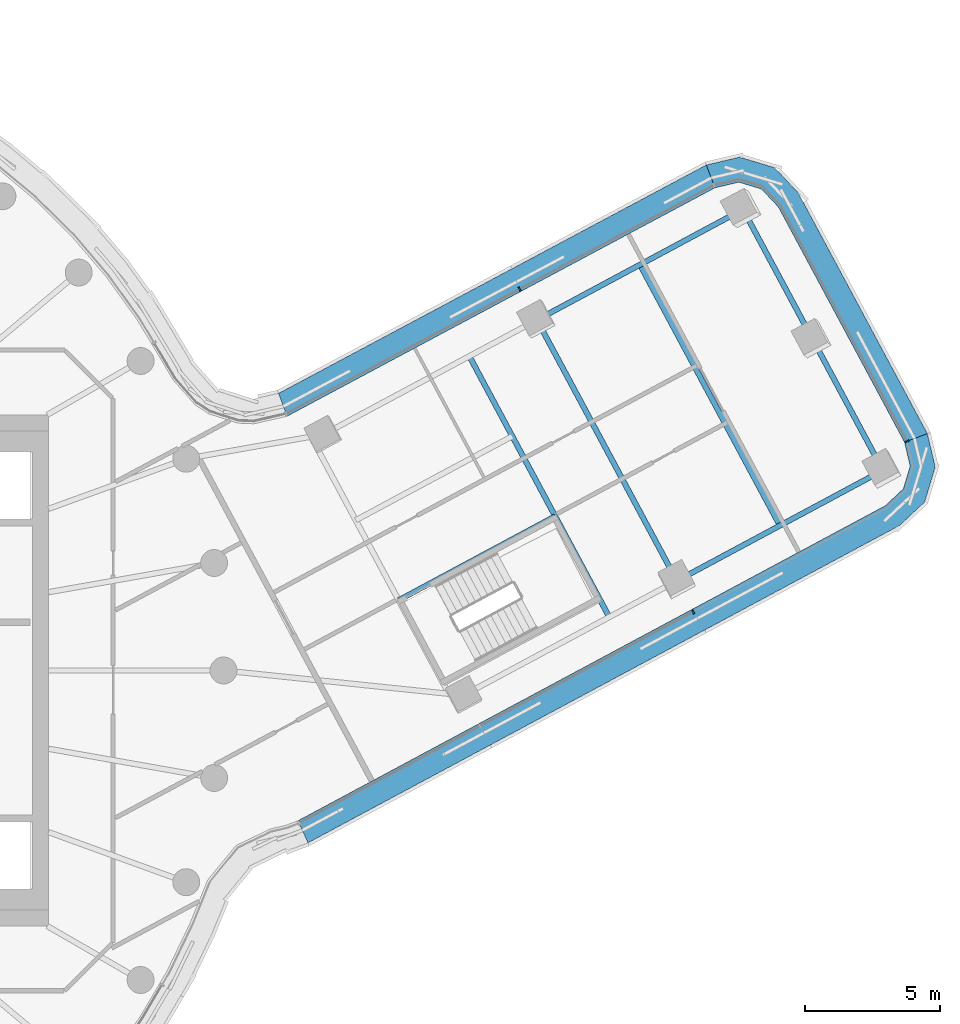
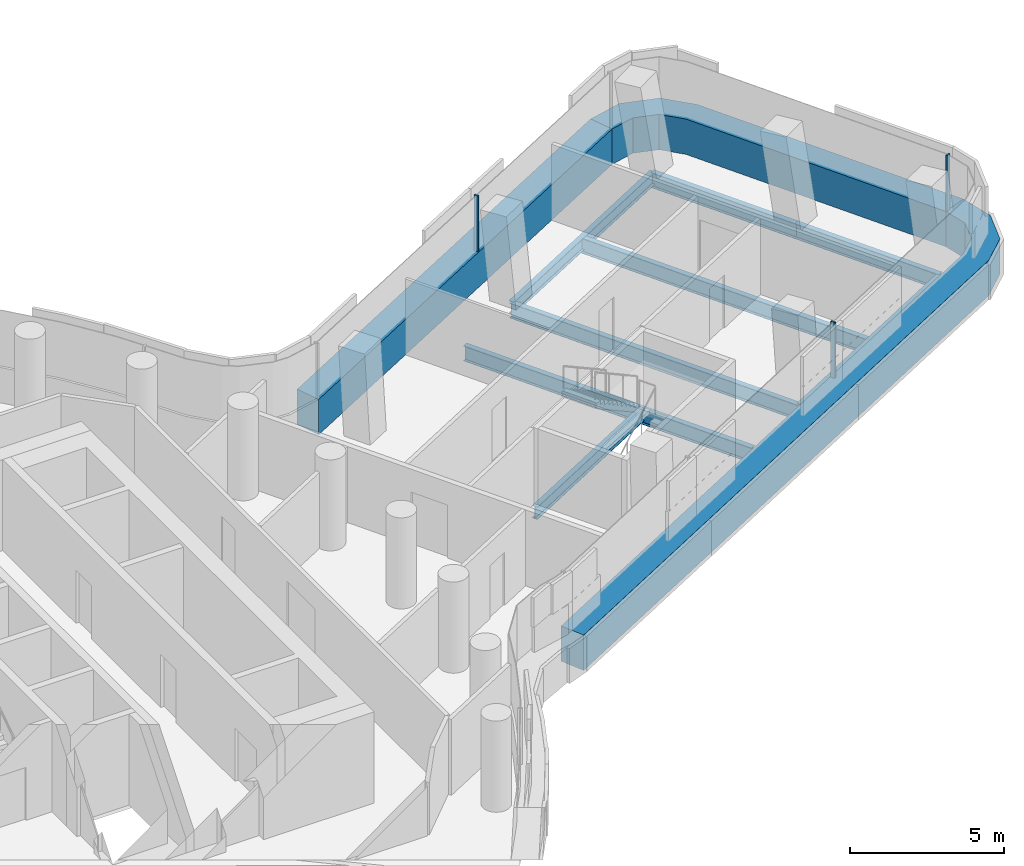
# One storey, part 12 of 33: 8 beams, 6 members, 3 elements without a shape of their own.
"""IFC4 building model written with IfcOpenShell, lengths in metres."""

import ifcopenshell
import ifcopenshell.guid

model = None  # the IFC model being written
_history = None  # IfcOwnerHistory: only IFC2X3 demands one
_inside = {}  # id of a spatial element -> (the spatial element, [elements in it])
_under = {}  # id of a project, library or spatial element -> (it, [spatial elements below it])
_declared = {}  # id of a project -> (the project, [libraries it declares])
_typed = {}  # id of a type object -> (the type object, [elements of that type])
_made_of = {}  # id of a material, layer set ... -> (it, [elements and type objects made of it])


def new_model(schema):
    """Start an empty IFC model of exactly this schema.

    Asked for "IFC4X3", IfcOpenShell would pick the latest addendum, in which some entities
    have other attributes; the version numbers below select the first issue.
    IFC2X3 requires an IfcOwnerHistory on every rooted entity: one is made here for all.
    """
    global model, _history
    if schema == "IFC4X3":
        model = ifcopenshell.file(schema_version=(4, 3, 0, 0))
    else:
        model = ifcopenshell.file(schema=schema)
    _inside.clear()
    _under.clear()
    _declared.clear()
    _typed.clear()
    _made_of.clear()
    _history = None
    if model.schema == "IFC2X3":
        org = make("IfcOrganization", Name="unknown")
        user = make(
            "IfcPersonAndOrganization",
            ThePerson=make("IfcPerson", FamilyName="unknown"),
            TheOrganization=org,
        )
        app = make(
            "IfcApplication",
            ApplicationDeveloper=org,
            Version="unknown",
            ApplicationFullName="unknown",
            ApplicationIdentifier="unknown",
        )
        _history = make(
            "IfcOwnerHistory",
            OwningUser=user,
            OwningApplication=app,
            ChangeAction="ADDED",
            CreationDate=0,
        )
    return model


def make(cls, **values):
    """One entity of the class cls with the attributes given. An attribute that is None is left unset."""
    return model.create_entity(
        cls, **{name: value for name, value in values.items() if value is not None}
    )


def rooted(cls, **values):
    """An entity with a GlobalId (a new one), such as an element, a storey or a relation."""
    return make(cls, GlobalId=ifcopenshell.guid.new(), OwnerHistory=_history, **values)


def si_unit(unit_type, name, prefix=None):
    """IfcSIUnit, for example si_unit("LENGTHUNIT", "METRE", prefix="MILLI")."""
    return make("IfcSIUnit", UnitType=unit_type, Prefix=prefix, Name=name)


def assignment(units):
    """IfcUnitAssignment: the units of a project."""
    return None if units is None else make("IfcUnitAssignment", Units=units)


def point(xyz):
    """IfcCartesianPoint."""
    return None if xyz is None else make("IfcCartesianPoint", Coordinates=xyz)


def direction(xyz):
    """IfcDirection."""
    return None if xyz is None else make("IfcDirection", DirectionRatios=xyz)


def frame(location, z_axis=None, x_axis=None):
    """IfcAxis2Placement3D, a coordinate frame: its origin and axes. An axis left out is left unset."""
    return make(
        "IfcAxis2Placement3D",
        Location=point(location),
        Axis=direction(z_axis),
        RefDirection=direction(x_axis),
    )


def frame_2d(location, x_axis=None):
    """IfcAxis2Placement2D, a coordinate frame in the plane: its origin and x axis."""
    return make(
        "IfcAxis2Placement2D", Location=point(location), RefDirection=direction(x_axis)
    )


def origin():
    """The frame at (0, 0, 0) with its axes left unset."""
    return frame((0.0, 0.0, 0.0))


def origin_2d():
    """The frame at (0, 0) in the plane with its x axis left unset."""
    return frame_2d((0.0, 0.0))


def place(relative_to, where):
    """IfcLocalPlacement: puts the frame where relative to a parent placement (None: the world)."""
    return make(
        "IfcLocalPlacement", PlacementRelTo=relative_to, RelativePlacement=where
    )


def context(
    kind, dimensions, precision=None, world=None, true_north=None, identifier=None
):
    """IfcGeometricRepresentationContext, for example the 3D "Model" context."""
    return make(
        "IfcGeometricRepresentationContext",
        ContextIdentifier=identifier,
        ContextType=kind,
        CoordinateSpaceDimension=dimensions,
        Precision=precision,
        WorldCoordinateSystem=world,
        TrueNorth=true_north,
    )


def subcontext(parent, identifier, kind, view, scale=None):
    """IfcGeometricRepresentationSubContext, for example "Body" below "Model"."""
    return make(
        "IfcGeometricRepresentationSubContext",
        ContextIdentifier=identifier,
        ContextType=kind,
        ParentContext=parent,
        TargetScale=scale,
        TargetView=view,
    )


def project(units=None, contexts=None):
    """IfcProject with its units and contexts."""
    return rooted(
        "IfcProject",
        Name="project",
        RepresentationContexts=contexts,
        UnitsInContext=assignment(units),
    )


def spatial(cls, under=None, at=None, **own):
    """A site, building, storey or space (cls), placed at a placement, below another one or the project."""
    s = rooted(cls, ObjectPlacement=at, **own)
    if under is not None:
        _under.setdefault(under.id(), (under, []))[1].append(s)
    return s


def polyline(points):
    """IfcPolyline through the points."""
    return make("IfcPolyline", Points=[point(p) for p in points])


def profile(cls, at=None, kind="AREA", **sizes):
    """A parametric profile (cls). Its sizes go by their IFC names, for example OverallWidth=200.0."""
    return make(cls, ProfileType=kind, Position=at, **sizes)


def rectangle(**sizes):
    """IfcRectangleProfileDef."""
    return profile("IfcRectangleProfileDef", **sizes)


def i_section(**sizes):
    """IfcIShapeProfileDef."""
    return profile("IfcIShapeProfileDef", **sizes)


def outline(outer, holes=None, kind="AREA"):
    """IfcArbitraryClosedProfileDef: a profile drawn as a closed curve; with holes, ...WithVoids."""
    if holes is None:
        return make("IfcArbitraryClosedProfileDef", ProfileType=kind, OuterCurve=outer)
    return make(
        "IfcArbitraryProfileDefWithVoids",
        ProfileType=kind,
        OuterCurve=outer,
        InnerCurves=holes,
    )


def extrude(swept, where, along, depth):
    """IfcExtrudedAreaSolid: the profile swept, set in the frame where, extruded along a direction by depth."""
    return make(
        "IfcExtrudedAreaSolid",
        SweptArea=swept,
        Position=where,
        ExtrudedDirection=direction(along),
        Depth=depth,
    )


def shape(context_of_items, identifier, shape_type, items):
    """IfcShapeRepresentation: the items that make up one representation, for example the "Body"."""
    return make(
        "IfcShapeRepresentation",
        ContextOfItems=context_of_items,
        RepresentationIdentifier=identifier,
        RepresentationType=shape_type,
        Items=items,
    )


def material(Name=None, Category=None):
    """IfcMaterial."""
    return make("IfcMaterial", Name=Name, Category=Category)


def layer(
    of_material, thickness, ventilated=None, Name=None, Category=None, Priority=None
):
    """IfcMaterialLayer: one layer of a wall or slab, of a material (None: an air gap)."""
    return make(
        "IfcMaterialLayer",
        Material=of_material,
        LayerThickness=thickness,
        IsVentilated=ventilated,
        Name=Name,
        Category=Category,
        Priority=Priority,
    )


def layer_set(layers, Name=None):
    """IfcMaterialLayerSet."""
    return make("IfcMaterialLayerSet", MaterialLayers=layers, LayerSetName=Name)


def material_profile(
    of_material, cross_section, Name=None, Category=None, Priority=None
):
    """IfcMaterialProfile: a cross section and its material."""
    return make(
        "IfcMaterialProfile",
        Name=Name,
        Material=of_material,
        Profile=cross_section,
        Priority=Priority,
        Category=Category,
    )


def profile_set(profiles, Name=None, composite=None):
    """IfcMaterialProfileSet."""
    return make(
        "IfcMaterialProfileSet",
        Name=Name,
        MaterialProfiles=profiles,
        CompositeProfile=composite,
    )


def made_of(thing, what):
    """Note that an element or type object is made of a material, layer set ...; save() writes the relation."""
    if what is not None:
        _made_of.setdefault(what.id(), (what, []))[1].append(thing)
    return thing


def type_object(cls, material=None, **own):
    """A type object (cls), such as IfcWallType, which elements share."""
    return made_of(rooted(cls, **own), material)


def element(
    cls,
    number,
    at=None,
    inside=None,
    cuts=None,
    type_object=None,
    material=None,
    context=None,
    identifier="Body",
    shape_type=None,
    held_by="IfcProductDefinitionShape",
    body=None,
    shapes=None,
    **own,
):
    """One element of the class cls, such as IfcWall. Its Tag is "e" and its number.

    at: its placement. inside: the storey or other place that contains it. cuts: it is an
    opening in that element (IfcRelVoidsElement). A single representation is given by context,
    identifier, shape_type and body (its items); several are given by shapes. held_by: the class
    of the entity that holds the representations. save() writes the other relations.
    """
    e = rooted(cls, Tag="e%d" % number, ObjectPlacement=at, **own)
    if body is not None:
        shapes = [shape(context, identifier, shape_type, body)]
    if shapes is not None:
        e.Representation = make(held_by, Representations=shapes)
    if inside is not None:
        _inside.setdefault(inside.id(), (inside, []))[1].append(e)
    if cuts is not None:
        rooted(
            "IfcRelVoidsElement", RelatingBuildingElement=cuts, RelatedOpeningElement=e
        )
    if type_object is not None:
        _typed.setdefault(type_object.id(), (type_object, []))[1].append(e)
    return made_of(e, material)


def aggregate(whole, parts):
    """IfcRelAggregates: a whole, such as a stair, and the parts it consists of."""
    return rooted("IfcRelAggregates", RelatingObject=whole, RelatedObjects=parts)


def save(model, path):
    """Write the relations noted so far, then the file.

    IfcRelAggregates (storeys below a building ...), IfcRelContainedInSpatialStructure (elements
    in a storey), IfcRelDefinesByType, IfcRelAssociatesMaterial and IfcRelDeclares: one each for
    every whole, place, type object, material and project.
    """
    for whole, parts in _under.values():
        aggregate(whole, parts)
    for where, things in _inside.values():
        rooted(
            "IfcRelContainedInSpatialStructure",
            RelatedElements=things,
            RelatingStructure=where,
        )
    for kind, things in _typed.values():
        rooted("IfcRelDefinesByType", RelatedObjects=things, RelatingType=kind)
    for what, things in _made_of.values():
        rooted("IfcRelAssociatesMaterial", RelatedObjects=things, RelatingMaterial=what)
    for by, libraries in _declared.values():
        rooted("IfcRelDeclares", RelatingContext=by, RelatedDefinitions=libraries)
    model.write(path)


model = new_model("IFC4")

# Units and contexts
model_context = context("Model", 3, precision=1e-05, world=origin(), true_north=direction((0.0, 1.0)))
body_context = subcontext(model_context, "Body", "Model", "MODEL_VIEW")
ifc_project = project(units=[si_unit("LENGTHUNIT", "METRE"), si_unit("AREAUNIT", "SQUARE_METRE"), si_unit("VOLUMEUNIT", "CUBIC_METRE"), si_unit("PLANEANGLEUNIT", "RADIAN"), si_unit("MASSUNIT", "GRAM", prefix="KILO")], contexts=[model_context])

# Site, building, storey
site_placement = place(None, origin())
site = spatial("IfcSite", under=ifc_project, at=site_placement, CompositionType="ELEMENT")
building_placement = place(site_placement, origin())
building = spatial("IfcBuilding", under=site, at=building_placement, Name="Tamarind Cross Interchange Tower", CompositionType="ELEMENT")
storey_placement = place(building_placement, frame((0.0, 0.0, 136.75)))
storey = spatial("IfcBuildingStorey", under=building, at=storey_placement, Name="L33", CompositionType="ELEMENT", Elevation=136.75)

# Beams
ifc_material_1 = material(Name="Steel Q355B", Category="steel")
ifc_material_profile_1 = material_profile(ifc_material_1, i_section(OverallWidth=0.198974609375, OverallDepth=0.49609375, WebThickness=0.009033203125, FlangeThickness=0.013916015625, FilletRadius=0.012939453125, at=origin_2d()), Name="HN 496x199x9x14")
ifc_profile_set_1 = profile_set([ifc_material_profile_1], Name="Steel Q355B")
beam_type_1 = type_object("IfcBeamType", Name="Composite beam HN 496x199x9x14 Q355B", PredefinedType="BEAM", material=ifc_profile_set_1)
beam_1_placement = place(storey_placement, frame((47.501220703125, 7.437744140625, -0.387939453125), z_axis=(-0.881234214379, -0.4726798699, 0.0), x_axis=(0.4726798699, -0.881234214379, 0.0)))
element("IfcBeam", 1, at=beam_1_placement, inside=storey, type_object=beam_type_1, Name="Beam E-edgeem5", PredefinedType="BEAM", context=body_context, shape_type="SweptSolid", body=[
    extrude(i_section(OverallWidth=0.198974609375, OverallDepth=0.49609375, WebThickness=0.009033203125, FlangeThickness=0.013916015625, FilletRadius=0.012939453125, at=origin_2d()), origin(), (0.0, 0.0, 1.0), 8.68798828125),
])
beam_2_placement = place(storey_placement, frame((42.301513671875, 17.13134765625, -0.387939453125), z_axis=(-0.881222509201, -0.472701691638, 0.0), x_axis=(0.472701691638, -0.881222509201, 0.0)))
element("IfcBeam", 2, at=beam_2_placement, inside=storey, type_object=beam_type_1, Name="Beam E-edgeep2", PredefinedType="BEAM", context=body_context, shape_type="SweptSolid", body=[
    extrude(i_section(OverallWidth=0.198974609375, OverallDepth=0.49609375, WebThickness=0.009033203125, FlangeThickness=0.013916015625, FilletRadius=0.012939453125, at=origin_2d()), origin(), (0.0, 0.0, 1.0), 8.688232421875),
])
beam_3_placement = place(storey_placement, frame((29.508544921875, 2.609130859375, -0.387939453125), z_axis=(0.881214767207, 0.472716124177, 0.0), x_axis=(-0.472716124177, 0.881214767207, 0.0)))
element("IfcBeam", 3, at=beam_3_placement, inside=storey, type_object=beam_type_1, Name="Beam E-tr1", PredefinedType="BEAM", context=body_context, shape_type="SweptSolid", body=[
    extrude(i_section(OverallWidth=0.198974609375, OverallDepth=0.49609375, WebThickness=0.009033203125, FlangeThickness=0.013916015625, FilletRadius=0.012939453125, at=origin_2d()), origin(), (0.0, 0.0, 1.0), 6.599853515625),
])
ifc_material_profile_2 = material_profile(ifc_material_1, i_section(OverallWidth=0.199951171875, OverallDepth=0.60009765625, WebThickness=0.010986328125, FlangeThickness=0.01708984375, FilletRadius=0.012939453125, at=origin_2d()), Name="HN 600x200x11x17")
ifc_profile_set_2 = profile_set([ifc_material_profile_2], Name="Steel Q355B")
beam_type_2 = type_object("IfcBeamType", Name="Composite beam HN 600x200x11x17 Q355B", PredefinedType="BEAM", material=ifc_profile_set_2)
beam_4_placement = place(storey_placement, frame((47.501220703125, 7.437744140625, -0.43994140625), z_axis=(-0.472704215394, 0.881221155414, 0.0), x_axis=(-0.881221155414, -0.472704215394, 0.0)))
element("IfcBeam", 4, at=beam_4_placement, inside=storey, type_object=beam_type_2, Name="Beam E-tip0", PredefinedType="BEAM", context=body_context, shape_type="SweptSolid", body=[
    extrude(i_section(OverallWidth=0.199951171875, OverallDepth=0.60009765625, WebThickness=0.010986328125, FlangeThickness=0.01708984375, FilletRadius=0.012939453125, at=origin_2d()), origin(), (0.0, 0.0, 1.0), 5.5),
])
beam_5_placement = place(storey_placement, frame((44.9013671875, 12.284423828125, -0.43994140625), z_axis=(-0.472685725241, 0.881231073642, 0.0), x_axis=(-0.881231073642, -0.472685725241, 0.0)))
element("IfcBeam", 5, at=beam_5_placement, inside=storey, type_object=beam_type_2, Name="Beam E-tip1", PredefinedType="BEAM", context=body_context, shape_type="SweptSolid", body=[
    extrude(i_section(OverallWidth=0.199951171875, OverallDepth=0.60009765625, WebThickness=0.010986328125, FlangeThickness=0.01708984375, FilletRadius=0.012939453125, at=origin_2d()), origin(), (0.0, 0.0, 1.0), 5.500244140625),
])
beam_6_placement = place(storey_placement, frame((37.33349609375, 1.983642578125, -0.43994140625), z_axis=(-0.472694970163, 0.881226114674, 0.0), x_axis=(-0.881226114674, -0.472694970163, 0.0)))
element("IfcBeam", 6, at=beam_6_placement, inside=storey, type_object=beam_type_2, Name="Beam E-x364", PredefinedType="BEAM", context=body_context, shape_type="SweptSolid", body=[
    extrude(i_section(OverallWidth=0.199951171875, OverallDepth=0.60009765625, WebThickness=0.010986328125, FlangeThickness=0.01708984375, FilletRadius=0.012939453125, at=origin_2d()), origin(), (0.0, 0.0, 1.0), 11.000244140625),
])
beam_7_placement = place(storey_placement, frame((39.844970703125, 3.3310546875, -0.43994140625), z_axis=(-0.472704215394, 0.881221155414, 0.0), x_axis=(-0.881221155414, -0.472704215394, 0.0)))
element("IfcBeam", 7, at=beam_7_placement, inside=storey, type_object=beam_type_2, Name="Beam E-x393", PredefinedType="BEAM", context=body_context, shape_type="SweptSolid", body=[
    extrude(i_section(OverallWidth=0.199951171875, OverallDepth=0.60009765625, WebThickness=0.010986328125, FlangeThickness=0.01708984375, FilletRadius=0.012939453125, at=origin_2d()), origin(), (0.0, 0.0, 1.0), 11.0),
])
beam_8_placement = place(storey_placement, frame((43.673095703125, 5.38427734375, -0.43994140625), z_axis=(-0.472694970163, 0.881226114674, 0.0), x_axis=(-0.881226114674, -0.472694970163, 0.0)))
element("IfcBeam", 8, at=beam_8_placement, inside=storey, type_object=beam_type_2, Name="Beam E-x436", PredefinedType="BEAM", context=body_context, shape_type="SweptSolid", body=[
    extrude(i_section(OverallWidth=0.199951171875, OverallDepth=0.60009765625, WebThickness=0.010986328125, FlangeThickness=0.01708984375, FilletRadius=0.012939453125, at=origin_2d()), origin(), (0.0, 0.0, 1.0), 11.000244140625),
])

# Curtain wall, member
ifc_material_2 = material(Name="Aluminium 6063-T6", Category="aluminium")
ifc_layer = layer(ifc_material_2, 0.159912109375)
ifc_layer_set = layer_set([ifc_layer], Name="Aluminium 6063-T6")
curtain_wall_type = type_object("IfcCurtainWallType", Name="Office curtain wall, 9.0 m bays", PredefinedType="NOTDEFINED", material=ifc_layer_set)
curtain_wall_1_placement = place(storey_placement, origin())
curtain_wall_1 = element("IfcCurtainWall", 9, at=curtain_wall_1_placement, inside=storey, type_object=curtain_wall_type, Name="CWS-L33-11", PredefinedType="NOTDEFINED")
ifc_material_3 = material(Name="Aluminium and insulated spandrel panel", Category="aluminium")
member_type_1 = type_object("IfcMemberType", Name="Floor-edge blade transom", PredefinedType="USERDEFINED", material=ifc_material_3)
member_1_placement = place(storey_placement, origin())
member_1 = element("IfcMember", 10, at=member_1_placement, type_object=member_type_1, Name="CWT-L33-11", ObjectType="TRANSOM", PredefinedType="USERDEFINED", context=body_context, shape_type="SweptSolid", body=[
    extrude(outline(polyline([(25.764404296875, -5.583740234375), (47.593017578125, 6.125244140625), (48.26025390625, 6.751953125), (48.5126953125, 7.58935546875), (48.303466796875, 8.48046875), (49.152587890625, 8.801513671875), (49.444091796875, 7.56005859375), (49.052001953125, 6.26123046875), (48.122802734375, 5.38818359375), (26.137939453125, -6.40478515625), (25.764404296875, -5.583740234375)])), origin(), (0.0, 0.0, 1.0), 1.39990234375),
])

curtain_wall_2_placement = place(storey_placement, origin())
curtain_wall_2 = element("IfcCurtainWall", 11, at=curtain_wall_2_placement, inside=storey, type_object=curtain_wall_type, Name="CWS-L33-12", PredefinedType="NOTDEFINED")
member_2_placement = place(storey_placement, origin())
member_2 = element("IfcMember", 12, at=member_2_placement, type_object=member_type_1, Name="CWT-L33-12", ObjectType="TRANSOM", PredefinedType="USERDEFINED", context=body_context, shape_type="SweptSolid", body=[
    extrude(outline(polyline([(48.303466796875, 8.48046875), (43.614013671875, 17.22314453125), (42.9873046875, 17.89013671875), (42.14990234375, 18.142822265625), (41.258544921875, 17.93359375), (40.9384765625, 18.782958984375), (42.178955078125, 19.07421875), (43.47802734375, 18.68212890625), (44.35107421875, 17.7529296875), (49.152587890625, 8.801513671875), (48.303466796875, 8.48046875)])), origin(), (0.0, 0.0, 1.0), 1.39990234375),
])

curtain_wall_3_placement = place(storey_placement, origin())
curtain_wall_3 = element("IfcCurtainWall", 13, at=curtain_wall_3_placement, inside=storey, type_object=curtain_wall_type, Name="CWS-L33-13", PredefinedType="NOTDEFINED")
member_3_placement = place(storey_placement, origin())
member_3 = element("IfcMember", 14, at=member_3_placement, type_object=member_type_1, Name="CWT-L33-13", ObjectType="TRANSOM", PredefinedType="USERDEFINED", context=body_context, shape_type="SweptSolid", body=[
    extrude(outline(polyline([(41.258544921875, 17.93359375), (25.3603515625, 9.446044921875), (25.04296875, 10.296875), (40.9384765625, 18.782958984375), (41.258544921875, 17.93359375)])), origin(), (0.0, 0.0, 1.0), 1.39990234375),
])

# Member
ifc_material_profile_3 = material_profile(ifc_material_2, rectangle(XDim=0.06005859375, YDim=0.159912109375, at=origin_2d()), Name="Mullion CW1")
ifc_profile_set_3 = profile_set([ifc_material_profile_3], Name="Aluminium 6063-T6")
member_type_2 = type_object("IfcMemberType", Name="Mullion CW1", PredefinedType="MULLION", material=ifc_profile_set_3)
member_4_placement = place(storey_placement, frame((40.44775390625, 2.17919921875, 1.39990234375), z_axis=(0.0, 0.0, 1.0), x_axis=(0.881224263054, 0.472698422046, 0.0)))
member_4 = element("IfcMember", 15, at=member_4_placement, type_object=member_type_2, Name="CWM-L33-11-02", PredefinedType="MULLION", context=body_context, shape_type="SweptSolid", body=[
    extrude(rectangle(XDim=0.06005859375, YDim=0.159912109375, at=origin_2d()), origin(), (0.0, 0.0, 1.0), 2.210205078125),
])

aggregate(curtain_wall_1, [member_4, member_1])

member_5_placement = place(storey_placement, frame((48.39794921875, 8.51611328125, 1.39990234375), z_axis=(0.0, 0.0, 1.0), x_axis=(-0.353631573969, 0.935384792421, 0.0)))
member_5 = element("IfcMember", 16, at=member_5_placement, type_object=member_type_2, Name="CWM-L33-12-00", PredefinedType="MULLION", context=body_context, shape_type="SweptSolid", body=[
    extrude(rectangle(XDim=0.06005859375, YDim=0.159912109375, at=origin_2d()), origin(), (0.0, 0.0, 1.0), 2.210205078125),
])

aggregate(curtain_wall_2, [member_5, member_2])

member_6_placement = place(storey_placement, frame((33.99951171875, 14.171630859375, 1.39990234375), z_axis=(0.0, 0.0, 1.0), x_axis=(-0.88215520934, -0.47095879505, 0.0)))
member_6 = element("IfcMember", 17, at=member_6_placement, type_object=member_type_2, Name="CWM-L33-13-01", PredefinedType="MULLION", context=body_context, shape_type="SweptSolid", body=[
    extrude(rectangle(XDim=0.06005859375, YDim=0.159912109375, at=origin_2d()), origin(), (0.0, 0.0, 1.0), 2.210205078125),
])

aggregate(curtain_wall_3, [member_6, member_3])

save(model, "model.ifc")
